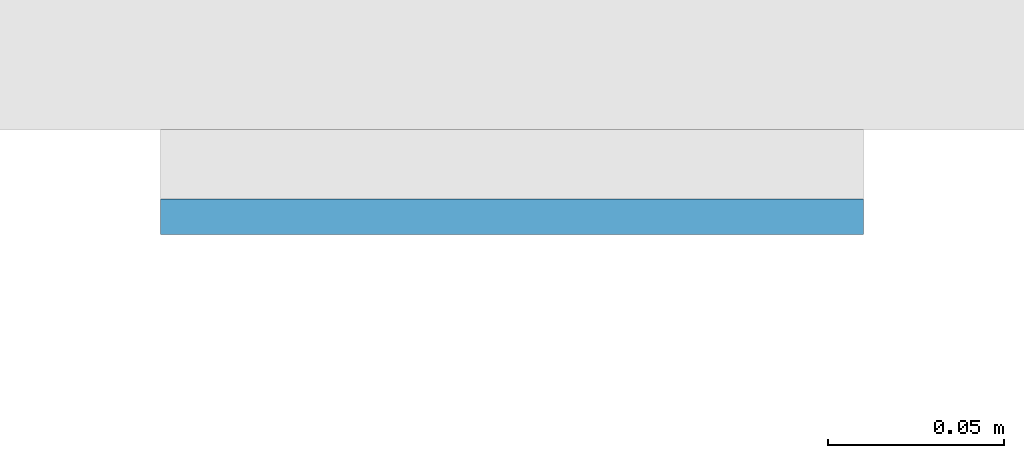
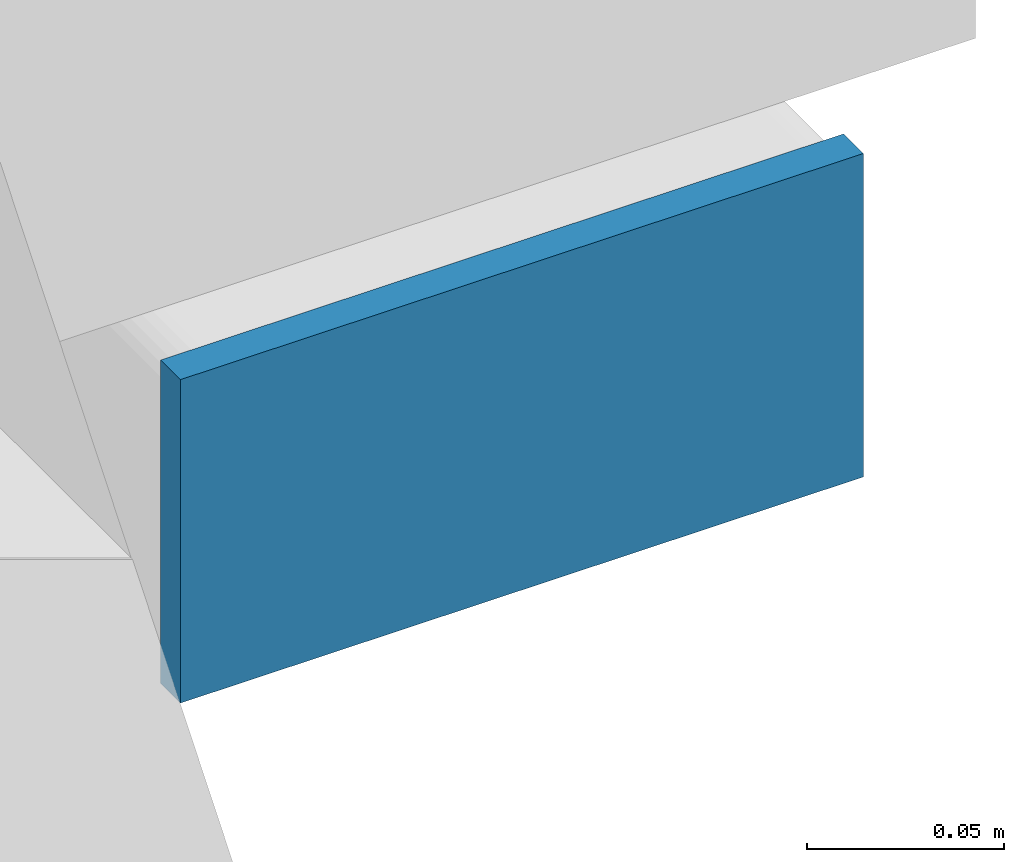
# One storey, part 10 of 20: 1 plate.
"""IFC4 building model written with IfcOpenShell, lengths in metres."""

from ifc_helpers import new_model, si_unit, direction, frame, origin, origin_2d, place, context, subcontext, project, spatial, rectangle, extrude, material, layer, layer_set, type_object, element, save


model = new_model("IFC4")

# Units and contexts
model_context = context("Model", 3, precision=1e-05, world=origin(), true_north=direction((0.0, 1.0)))
body_context = subcontext(model_context, "Body", "Model", "MODEL_VIEW")
ifc_project = project(units=[si_unit("LENGTHUNIT", "METRE"), si_unit("AREAUNIT", "SQUARE_METRE"), si_unit("VOLUMEUNIT", "CUBIC_METRE"), si_unit("PLANEANGLEUNIT", "RADIAN"), si_unit("MASSUNIT", "GRAM", prefix="KILO")], contexts=[model_context])

# Site, building, storey
site_placement = place(None, origin())
site = spatial("IfcSite", under=ifc_project, at=site_placement, CompositionType="ELEMENT")
building_placement = place(site_placement, origin())
building = spatial("IfcBuilding", under=site, at=building_placement, Name="Cleftline Residences", CompositionType="ELEMENT")
storey_placement = place(building_placement, frame((0.0, 0.0, 114.199951171875)))
storey = spatial("IfcBuildingStorey", under=building, at=storey_placement, Name="L29", CompositionType="ELEMENT", Elevation=114.199951171875)

# Plate
ifc_material = material(Name="Steel S355, hot-dip galvanised", Category="steel")
ifc_layer = layer(ifc_material, 0.010009765625)
ifc_layer_set = layer_set([ifc_layer], Name="BAGUETTE CARRIER END PLATE 200X100X10")
plate_type = type_object("IfcPlateType", Name="BAGUETTE CARRIER END PLATE 200X100X10", PredefinedType="USERDEFINED", material=ifc_layer_set)
plate_placement = place(storey_placement, frame((66.85009765625, 3.695068359375, -0.10009765625), z_axis=(0.0, 0.0, 1.0), x_axis=(1.0, 0.0, 0.0)))
element("IfcPlate", 1, at=plate_placement, inside=storey, type_object=plate_type, Name="Baguette carrier end plate", ObjectType="BAGUETTE CARRIER END PLATE", PredefinedType="USERDEFINED", context=body_context, shape_type="SweptSolid", body=[
    extrude(rectangle(XDim=0.199951171875, YDim=0.010009765625, at=origin_2d()), origin(), (0.0, 0.0, 1.0), 0.10009765625),
])

save(model, "model.ifc")
